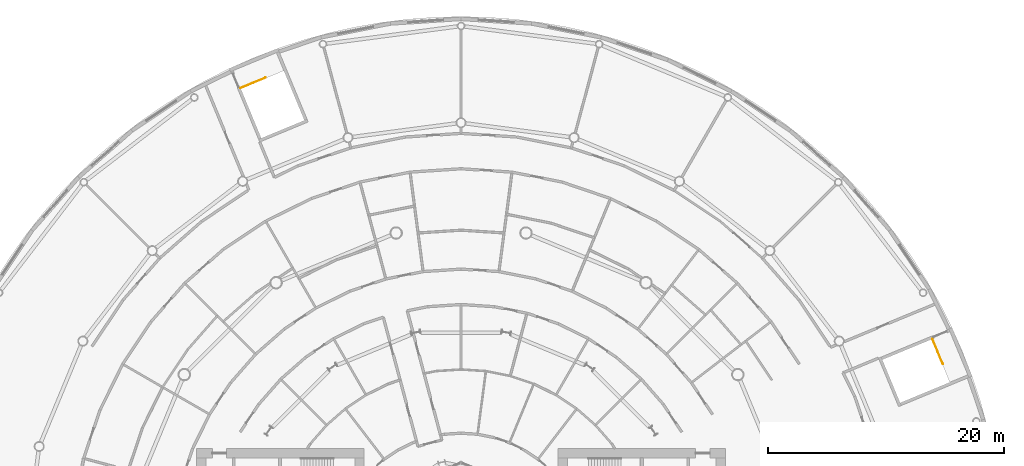
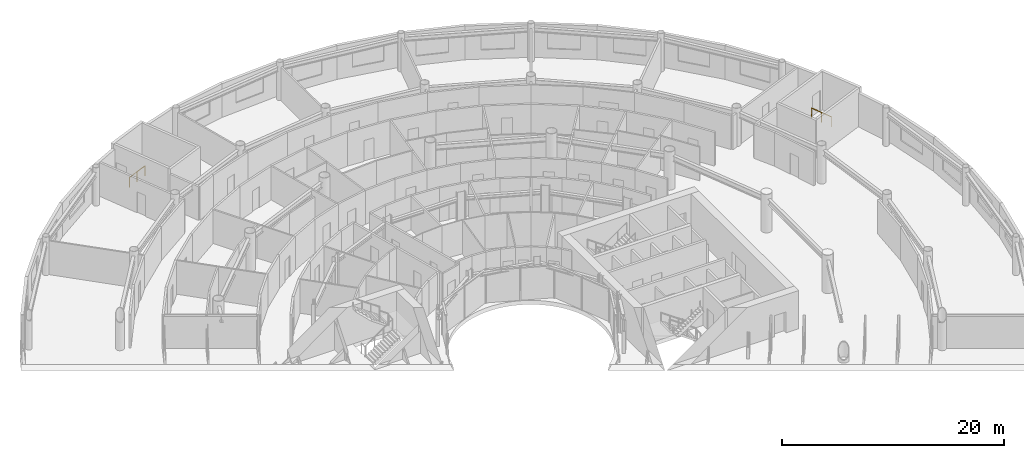
# One storey, part 29 of 29: 2 railings.
"""IFC4 building model written with IfcOpenShell, lengths in metres."""

from ifc_helpers import new_model, si_unit, direction, frame, origin, origin_2d, place, context, subcontext, project, spatial, circle, extrude, material, type_object, element, save


model = new_model("IFC4")

# Units and contexts
model_context = context("Model", 3, precision=1e-05, world=origin(), true_north=direction((0.0, 1.0)))
body_context = subcontext(model_context, "Body", "Model", "MODEL_VIEW")
ifc_project = project(units=[si_unit("LENGTHUNIT", "METRE"), si_unit("AREAUNIT", "SQUARE_METRE"), si_unit("VOLUMEUNIT", "CUBIC_METRE"), si_unit("PLANEANGLEUNIT", "RADIAN"), si_unit("MASSUNIT", "GRAM", prefix="KILO")], contexts=[model_context])

# Site, building, storey
site_placement = place(None, origin())
site = spatial("IfcSite", under=ifc_project, at=site_placement, CompositionType="ELEMENT")
building_placement = place(site_placement, origin())
building = spatial("IfcBuilding", under=site, at=building_placement, Name="Maasbend Ring Residences", CompositionType="ELEMENT")
storey_placement = place(building_placement, frame((0.0, 0.0, 5.39990234375)))
storey = spatial("IfcBuildingStorey", under=building, at=storey_placement, Name="L01", CompositionType="ELEMENT", Elevation=5.39990234375)

# Railings
ifc_material = material(Name="Stainless steel 316", Category="steel")
railing_type = type_object("IfcRailingType", Name="STAIR GUARD 1100", PredefinedType="GUARDRAIL", material=ifc_material)
railing_1_placement = place(storey_placement, frame((-18.681884765625, 39.941162109375, 0.0)))
element("IfcRailing", 1, at=railing_1_placement, inside=storey, type_object=railing_type, Name="L01 ST-P1 top well guard 1", PredefinedType="GUARDRAIL", context=body_context, shape_type="SweptSolid", body=[
    extrude(circle(Radius=0.02392578125, at=origin_2d()), frame((0.0, 0.0, 1.076171875), z_axis=(0.923891347689, 0.382654906758, 0.0), x_axis=(-0.382654906758, 0.923891347689, 0.0)), (0.0, 0.0, 1.0), 2.300048828125),
    extrude(circle(Radius=0.02099609375, at=origin_2d()), origin(), (0.0, 0.0, 1.0), 1.052001953125),
    extrude(circle(Radius=0.02099609375, at=origin_2d()), frame((1.0625, 0.43994140625, 0.0)), (0.0, 0.0, 1.0), 1.052001953125),
    extrude(circle(Radius=0.02099609375, at=origin_2d()), frame((2.125, 0.880126953125, 0.0)), (0.0, 0.0, 1.0), 1.052001953125),
])
railing_2_placement = place(storey_placement, frame((39.941162109375, 18.681884765625, 0.0)))
element("IfcRailing", 2, at=railing_2_placement, inside=storey, type_object=railing_type, Name="L01 ST-P5 top well guard 1", PredefinedType="GUARDRAIL", context=body_context, shape_type="SweptSolid", body=[
    extrude(circle(Radius=0.02392578125, at=origin_2d()), frame((0.0, 0.0, 1.076171875), z_axis=(0.382654906758, -0.923891347689, 0.0), x_axis=(0.923891347689, 0.382654906758, 0.0)), (0.0, 0.0, 1.0), 2.300048828125),
    extrude(circle(Radius=0.02099609375, at=origin_2d()), origin(), (0.0, 0.0, 1.0), 1.052001953125),
    extrude(circle(Radius=0.02099609375, at=origin_2d()), frame((0.43994140625, -1.0625, 0.0)), (0.0, 0.0, 1.0), 1.052001953125),
    extrude(circle(Radius=0.02099609375, at=origin_2d()), frame((0.880126953125, -2.125, 0.0)), (0.0, 0.0, 1.0), 1.052001953125),
])

save(model, "model.ifc")
